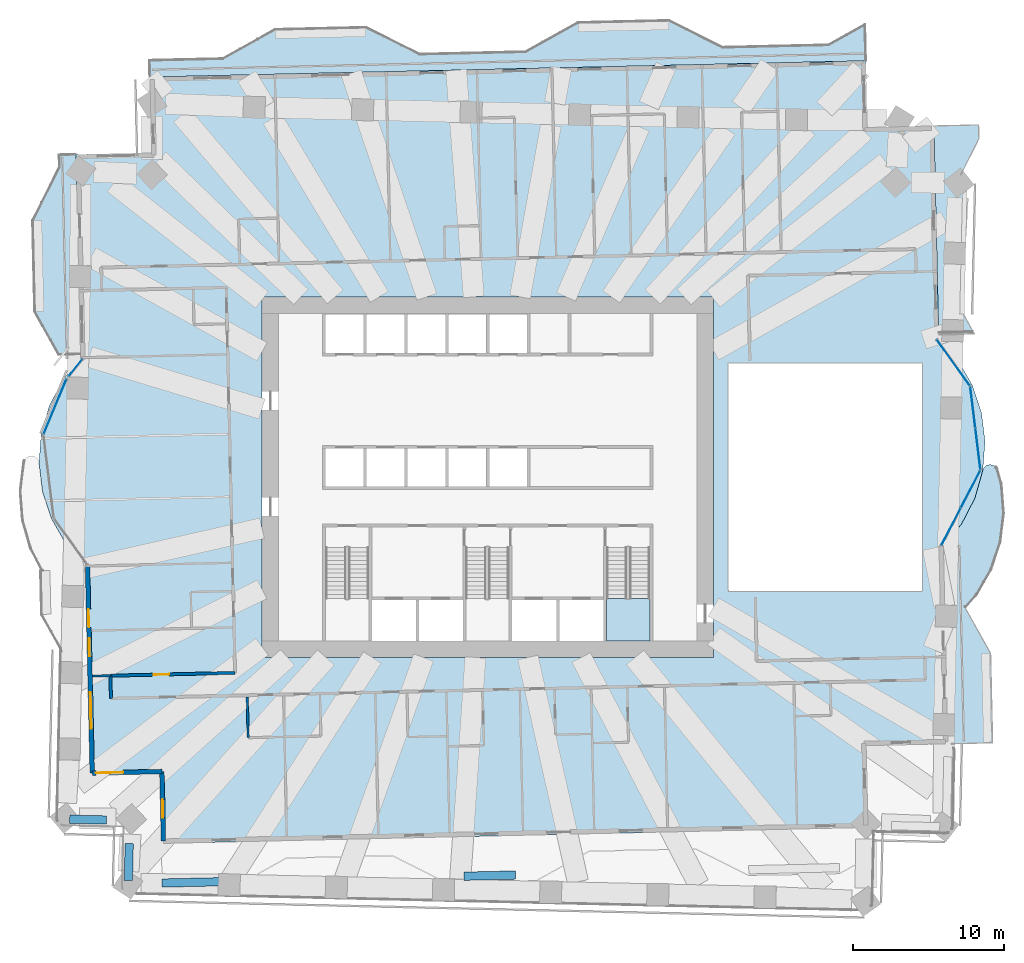
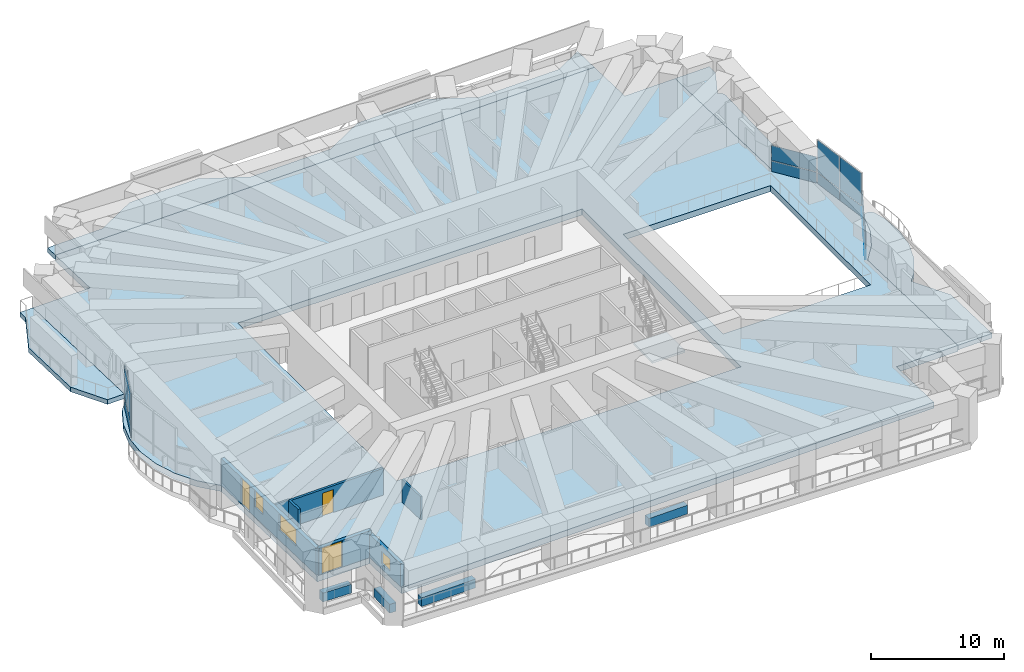
# One storey, part 9 of 20: 14 plates, 11 walls, 6 slabs, 3 doors, 3 windows, 6 openings, 6 elements without a shape of their own.
"""IFC4 building model written with IfcOpenShell, lengths in metres."""

from ifc_helpers import new_model, si_unit, direction, frame, frame_2d, origin, origin_2d, place, context, subcontext, project, spatial, polyline, rectangle, outline, extrude, material, layer, layer_set, type_object, element, fill, aggregate, save


model = new_model("IFC4")

# Units and contexts
model_context = context("Model", 3, precision=1e-05, world=origin(), true_north=direction((0.0, 1.0)))
body_context = subcontext(model_context, "Body", "Model", "MODEL_VIEW")
ifc_project = project(units=[si_unit("LENGTHUNIT", "METRE"), si_unit("AREAUNIT", "SQUARE_METRE"), si_unit("VOLUMEUNIT", "CUBIC_METRE"), si_unit("PLANEANGLEUNIT", "RADIAN"), si_unit("MASSUNIT", "GRAM", prefix="KILO")], contexts=[model_context])

# Site, building, storey
site_placement = place(None, origin())
site = spatial("IfcSite", under=ifc_project, at=site_placement, CompositionType="ELEMENT")
building_placement = place(site_placement, origin())
building = spatial("IfcBuilding", under=site, at=building_placement, Name="Mangrove Gate Tower", CompositionType="ELEMENT")
storey_placement = place(building_placement, frame((0.0, 0.0, 74.699951171875)))
storey = spatial("IfcBuildingStorey", under=building, at=storey_placement, Name="L18", CompositionType="ELEMENT", Elevation=74.699951171875)

# Slabs
ifc_material_1 = material(Name="Porcelain tile")
ifc_layer_1 = layer(ifc_material_1, 0.02001953125, Name="Tile finish")
ifc_material_2 = material(Name="Cement sand screed")
ifc_layer_2 = layer(ifc_material_2, 0.0400390625, Name="Screed laid to falls")
ifc_material_3 = material(Name="Bituminous waterproofing membrane")
ifc_layer_3 = layer(ifc_material_3, 0.00390625, Name="Waterproofing")
ifc_material_4 = material(Name="Concrete C40/50", Category="concrete")
ifc_layer_4 = layer(ifc_material_4, 0.340087890625, Name="Balcony structural slab")
ifc_material_5 = material(Name="Limestone", Category="masonry")
ifc_layer_5 = layer(ifc_material_5, 0.01611328125, Name="Soffit lining")
ifc_layer_set_1 = layer_set([ifc_layer_1, ifc_layer_2, ifc_layer_3, ifc_layer_4, ifc_layer_5], Name="Balcony slab 420 C40/50")
slab_type_1 = type_object("IfcSlabType", Name="Balcony slab 420 C40/50", PredefinedType="FLOOR", material=ifc_layer_set_1)
slab_1_placement = place(storey_placement, frame((0.0, 0.0, -0.419921875)))
element("IfcSlab", 1, at=slab_1_placement, inside=storey, type_object=slab_type_1, Name="BALCONY L18 E0", PredefinedType="FLOOR", context=body_context, shape_type="SweptSolid", body=[
    extrude(outline(polyline([(30.094970703125, -4.81494140625), (30.095947265625, -4.821044921875), (30.093994140625, -4.826904296875), (30.090087890625, -4.8310546875), (30.3798828125, -17.60205078125), (33.368896484375, -17.533935546875), (33.236083984375, -11.635986328125), (31.535888671875, -8.589111328125), (31.533935546875, -8.583984375), (31.535888671875, -8.577880859375), (31.5390625, -8.573974609375), (31.5439453125, -8.572998046875), (31.550048828125, -8.572998046875), (32.23388671875, -7.7958984375), (32.26611328125, -7.756103515625), (32.2919921875, -7.714111328125), (33.196044921875, -6.14306640625), (33.218017578125, -6.097900390625), (33.236083984375, -6.052001953125), (33.81005859375, -4.3330078125), (33.823974609375, -4.283935546875), (33.83203125, -4.235107421875), (34.053955078125, -2.43603515625), (34.056884765625, -2.386962890625), (34.055908203125, -2.3369140625), (33.916015625, -0.530029296875), (33.909912109375, -0.47998046875), (33.89892578125, -0.430908203125), (33.64501953125, 0.4619140625), (33.62890625, 0.508056640625), (33.60888671875, 0.552978515625), (33.5849609375, 0.594970703125), (33.556884765625, 0.635009765625), (33.52392578125, 0.672119140625), (33.489013671875, 0.705078125), (33.450927734375, 0.735107421875), (33.408935546875, 0.760986328125), (33.365966796875, 0.782958984375), (33.320068359375, 0.800048828125), (33.27294921875, 0.81298828125), (33.22509765625, 0.822021484375), (33.176025390625, 0.824951171875), (33.126953125, 0.823974609375), (33.0791015625, 0.818115234375), (33.031005859375, 0.806884765625), (32.985107421875, 0.7919921875), (32.93994140625, 0.77197265625), (32.89794921875, 0.748046875), (32.85791015625, 0.719970703125), (32.821044921875, 0.68896484375), (32.787109375, 0.653076171875), (32.757080078125, 0.614990234375), (32.72998046875, 0.573974609375), (32.7080078125, 0.530029296875), (32.68994140625, 0.48388671875), (32.162109375, -1.3759765625), (32.152099609375, -1.39990234375), (31.281005859375, -3.087890625), (30.198974609375, -4.43896484375), (30.169921875, -4.47900390625), (30.14404296875, -4.52197265625), (30.1240234375, -4.568115234375), (30.10791015625, -4.614990234375), (30.096923828125, -4.6630859375), (30.090087890625, -4.712890625), (30.089111328125, -4.762939453125), (30.090087890625, -4.81103515625), (30.094970703125, -4.81494140625)])), origin(), (0.0, 0.0, 1.0), 0.419921875),
])
slab_2_placement = place(storey_placement, frame((0.0, 0.0, -0.419921875)))
element("IfcSlab", 2, at=slab_2_placement, inside=storey, type_object=slab_type_1, Name="BALCONY L18 E1", PredefinedType="FLOOR", context=body_context, shape_type="SweptSolid", body=[
    extrude(outline(polyline([(29.76708984375, 9.416015625), (32.162109375, 9.470947265625), (31.44189453125, 10.762939453125), (31.44189453125, 10.76806640625), (31.446044921875, 10.77294921875), (31.450927734375, 10.77490234375), (31.4580078125, 10.77392578125), (31.653076171875, 19.3740234375), (31.65087890625, 19.422119140625), (31.64501953125, 19.470947265625), (31.635009765625, 19.51904296875), (31.618896484375, 19.56494140625), (31.59912109375, 19.611083984375), (31.574951171875, 19.653076171875), (31.5458984375, 19.693115234375), (31.513916015625, 19.73095703125), (31.47900390625, 19.763916015625), (31.43994140625, 19.7939453125), (31.39892578125, 19.820068359375), (31.35498046875, 19.842041015625), (31.30908203125, 19.860107421875), (31.260986328125, 19.873046875), (31.2470703125, 19.875), (31.238037109375, 19.875), (31.23193359375, 19.8798828125), (31.23095703125, 19.885986328125), (32.464111328125, 22.35595703125), (32.444091796875, 23.2548828125), (29.455078125, 23.18701171875), (29.76708984375, 9.416015625)])), origin(), (0.0, 0.0, 1.0), 0.419921875),
])
slab_3_placement = place(storey_placement, frame((0.0, 0.0, -0.419921875)))
element("IfcSlab", 3, at=slab_3_placement, inside=storey, type_object=slab_type_1, Name="BALCONY L18 N0", PredefinedType="FLOOR", context=body_context, shape_type="SweptSolid", body=[
    extrude(outline(polyline([(24.90087890625, 29.9140625), (22.4951171875, 28.571044921875), (15.49609375, 28.412109375), (11.955078125, 30.181884765625), (5.95703125, 30.0458984375), (2.5, 28.116943359375), (-4.498046875, 27.958984375), (-8.0400390625, 29.72900390625), (-14.0380859375, 29.592041015625), (-17.4951171875, 27.6630859375), (-22.330078125, 27.553955078125), (-22.303955078125, 26.4140625), (1.325927734375, 26.949951171875), (2.52587890625, 26.97802734375), (24.9560546875, 27.487060546875), (24.90087890625, 29.9140625)])), origin(), (0.0, 0.0, 1.0), 0.419921875),
])
slab_4_placement = place(storey_placement, frame((0.0, 0.0, -0.419921875)))
element("IfcSlab", 4, at=slab_4_placement, inside=storey, type_object=slab_type_1, Name="BALCONY L18 W0", PredefinedType="FLOOR", context=body_context, shape_type="SweptSolid", body=[
    extrude(outline(polyline([(-28.3291015625, 21.27587890625), (-28.31103515625, 20.47607421875), (-30.0810546875, 16.93505859375), (-29.945068359375, 10.93701171875), (-28.361083984375, 8.096923828125), (-26.889892578125, 8.131103515625), (-26.9560546875, 11.0048828125), (-27.092041015625, 17.0029296875), (-27.1708984375, 20.501953125), (-27.18896484375, 21.302001953125), (-28.3291015625, 21.27587890625)])), origin(), (0.0, 0.0, 1.0), 0.419921875),
])

# Stair, slab
ifc_material_6 = material(Name="Concrete C40/50", Category="concrete")
stair_type = type_object("IfcStairType", Name="Core stair 1350", PredefinedType="HALF_TURN_STAIR", material=ifc_material_6)
stair_placement = place(storey_placement, origin())
stair = element("IfcStair", 5, at=stair_placement, inside=storey, type_object=stair_type, Name="L18 Stair 3", PredefinedType="HALF_TURN_STAIR")
ifc_material_7 = material(Name="Concrete C40/50", Category="concrete")
ifc_layer_6 = layer(ifc_material_7, 0.199951171875)
ifc_layer_set_2 = layer_set([ifc_layer_6], Name="Core stair landing 200")
slab_type_2 = type_object("IfcSlabType", Name="Core stair landing 200", PredefinedType="LANDING", material=ifc_layer_set_2)
slab_5_placement = place(storey_placement, frame((0.0, 0.0, 2.10009765625)))
slab_5 = element("IfcSlab", 6, at=slab_5_placement, type_object=slab_type_2, Name="ST3 landing 1", PredefinedType="LANDING", context=body_context, shape_type="SweptSolid", body=[
    extrude(outline(polyline([(7.85009765625, -8.010009765625), (7.85009765625, -10.800048828125), (10.699951171875, -10.800048828125), (10.699951171875, -8.010009765625), (7.85009765625, -8.010009765625)])), origin(), (0.0, 0.0, 1.0), 0.199951171875),
])
aggregate(stair, [slab_5])

# Slab
ifc_material_8 = material(Name="Concrete C40/50", Category="concrete")
ifc_layer_7 = layer(ifc_material_8, 0.550048828125)
ifc_layer_set_3 = layer_set([ifc_layer_7], Name="Floor slab 550 C40/50")
slab_type_3 = type_object("IfcSlabType", Name="Floor slab 550 C40/50", PredefinedType="FLOOR", material=ifc_layer_set_3)
slab_6_placement = place(storey_placement, frame((0.0, 0.0, -0.550048828125)))
element("IfcSlab", 7, at=slab_6_placement, inside=storey, type_object=slab_type_3, Name="Floor slab L18", PredefinedType="FLOOR", context=body_context, shape_type="SweptSolid", body=[
    extrude(outline(polyline([(-21.555908203125, -24.181884765625), (25.10400390625, -23.123046875), (24.981689453125, -17.724609375), (30.380126953125, -17.60205078125), (30.084716796875, -4.58056640625), (31.28125, -3.08837890625), (32.158203125, -1.388427734375), (32.6806640625, 0.45166015625), (32.827880859375, 2.358642578125), (32.59423828125, 4.257080078125), (31.98876953125, 6.071533203125), (31.03564453125, 7.72998046875), (29.772705078125, 9.16650390625), (29.45458984375, 23.1875), (25.0556640625, 23.087646484375), (24.955810546875, 27.486572265625), (-22.303955078125, 26.4140625), (-22.1904296875, 21.415283203125), (-27.189208984375, 21.302001953125), (-26.884765625, 7.880615234375), (-28.081298828125, 6.388427734375), (-28.958251953125, 4.6884765625), (-29.480712890625, 2.848388671875), (-29.6279296875, 0.94140625), (-29.394287109375, -0.95703125), (-28.788818359375, -2.771484375), (-27.835693359375, -4.429931640625), (-26.57275390625, -5.866455078125), (-26.259033203125, -19.6875), (-21.66015625, -19.583251953125), (-21.555908203125, -24.181884765625)]), holes=[polyline([(15.89990234375, 7.5), (28.658935546875, 7.5), (28.658935546875, -7.5), (15.89990234375, -7.5), (15.89990234375, 7.5)]), polyline([(-14.89990234375, -11.89990234375), (-14.89990234375, 11.89990234375), (14.89990234375, 11.89990234375), (14.89990234375, -11.89990234375), (-14.89990234375, -11.89990234375)])]), origin(), (0.0, 0.0, 1.0), 0.550048828125),
])

# Curtain wall, plates
ifc_material_9 = material(Name="Aluminium and glass curtain wall", Category="aluminium")
curtain_wall_type = type_object("IfcCurtainWallType", Name="Sky-lounge glazing wall", PredefinedType="NOTDEFINED", material=ifc_material_9)
curtain_wall_1_placement = place(storey_placement, origin())
curtain_wall_1 = element("IfcCurtainWall", 8, at=curtain_wall_1_placement, inside=storey, type_object=curtain_wall_type, Name="Sky-lounge glazing E1f1", PredefinedType="NOTDEFINED")
ifc_material_10 = material(Name="Laminated low-e glass", Category="glass")
ifc_layer_8 = layer(ifc_material_10, 0.030029296875)
ifc_layer_set_4 = layer_set([ifc_layer_8], Name="Sky-lounge glazing panel 30")
plate_type = type_object("IfcPlateType", Name="Sky-lounge glazing panel 30", PredefinedType="CURTAIN_PANEL", material=ifc_layer_set_4)
plate_1_placement = place(storey_placement, frame((30.590087890625, -3.26416015625, 0.0), z_axis=(0.0, 0.0, 1.0), x_axis=(0.460628472605, 0.887593043137, 0.0)))
plate_1 = element("IfcPlate", 9, at=plate_1_placement, type_object=plate_type, Name="CWK panel 1.1", PredefinedType="CURTAIN_PANEL", context=body_context, shape_type="SweptSolid", body=[
    extrude(rectangle(XDim=2.73095703125, YDim=0.030029296875, at=origin_2d()), origin(), (0.0, 0.0, 1.0), 0.969970703125),
])
plate_2_placement = place(storey_placement, frame((30.590087890625, -3.26416015625, 1.02978515625), z_axis=(0.0, 0.0, 1.0), x_axis=(0.460628472605, 0.887593043137, 0.0)))
plate_2 = element("IfcPlate", 10, at=plate_2_placement, type_object=plate_type, Name="CWK panel 1.2", PredefinedType="CURTAIN_PANEL", context=body_context, shape_type="SweptSolid", body=[
    extrude(rectangle(XDim=2.73095703125, YDim=0.030029296875, at=origin_2d()), origin(), (0.0, 0.0, 1.0), 1.360107421875),
])
plate_3_placement = place(storey_placement, frame((31.875732421875, -0.787109375, 0.0), z_axis=(0.0, 0.0, 1.0), x_axis=(0.460628472605, 0.887593043137, 0.0)))
plate_3 = element("IfcPlate", 11, at=plate_3_placement, type_object=plate_type, Name="CWK panel 2.1", PredefinedType="CURTAIN_PANEL", context=body_context, shape_type="SweptSolid", body=[
    extrude(rectangle(XDim=2.73095703125, YDim=0.030029296875, at=origin_2d()), origin(), (0.0, 0.0, 1.0), 0.969970703125),
])
plate_4_placement = place(storey_placement, frame((31.875732421875, -0.787109375, 1.02978515625), z_axis=(0.0, 0.0, 1.0), x_axis=(0.460628472605, 0.887593043137, 0.0)))
plate_4 = element("IfcPlate", 12, at=plate_4_placement, type_object=plate_type, Name="CWK panel 2.2", PredefinedType="CURTAIN_PANEL", context=body_context, shape_type="SweptSolid", body=[
    extrude(rectangle(XDim=2.73095703125, YDim=0.030029296875, at=origin_2d()), origin(), (0.0, 0.0, 1.0), 1.360107421875),
])
aggregate(curtain_wall_1, [plate_1, plate_2, plate_3, plate_4])

curtain_wall_2_placement = place(storey_placement, origin())
curtain_wall_2 = element("IfcCurtainWall", 13, at=curtain_wall_2_placement, inside=storey, type_object=curtain_wall_type, Name="Sky-lounge glazing E1f2", PredefinedType="NOTDEFINED")
plate_5_placement = place(storey_placement, frame((32.360107421875, 1.8759765625, 0.0), z_axis=(0.0, 0.0, 1.0), x_axis=(-0.122172286076, 0.992508908028, 0.0)))
plate_5 = element("IfcPlate", 14, at=plate_5_placement, type_object=plate_type, Name="CWK panel 1.1", PredefinedType="CURTAIN_PANEL", context=body_context, shape_type="SweptSolid", body=[
    extrude(rectangle(XDim=2.69677734375, YDim=0.030029296875, at=origin_2d()), origin(), (0.0, 0.0, 1.0), 0.969970703125),
])
plate_6_placement = place(storey_placement, frame((32.360107421875, 1.8759765625, 1.030029296875), z_axis=(0.0, 0.0, 1.0), x_axis=(-0.122172286076, 0.992508908028, 0.0)))
plate_6 = element("IfcPlate", 15, at=plate_6_placement, type_object=plate_type, Name="CWK panel 1.2", PredefinedType="CURTAIN_PANEL", context=body_context, shape_type="SweptSolid", body=[
    extrude(rectangle(XDim=2.69677734375, YDim=0.030029296875, at=origin_2d()), origin(), (0.0, 0.0, 1.0), 2.9599609375),
])
plate_7_placement = place(storey_placement, frame((32.0234375, 4.612060546875, 0.0), z_axis=(0.0, 0.0, 1.0), x_axis=(-0.122172286076, 0.992508908028, 0.0)))
plate_7 = element("IfcPlate", 16, at=plate_7_placement, type_object=plate_type, Name="CWK panel 2.1", PredefinedType="CURTAIN_PANEL", context=body_context, shape_type="SweptSolid", body=[
    extrude(rectangle(XDim=2.69677734375, YDim=0.030029296875, at=origin_2d()), origin(), (0.0, 0.0, 1.0), 0.969970703125),
])
plate_8_placement = place(storey_placement, frame((32.0234375, 4.612060546875, 1.030029296875), z_axis=(0.0, 0.0, 1.0), x_axis=(-0.122172286076, 0.992508908028, 0.0)))
plate_8 = element("IfcPlate", 17, at=plate_8_placement, type_object=plate_type, Name="CWK panel 2.2", PredefinedType="CURTAIN_PANEL", context=body_context, shape_type="SweptSolid", body=[
    extrude(rectangle(XDim=2.69677734375, YDim=0.030029296875, at=origin_2d()), origin(), (0.0, 0.0, 1.0), 2.9599609375),
])
aggregate(curtain_wall_2, [plate_5, plate_6, plate_7, plate_8])

curtain_wall_3_placement = place(storey_placement, origin())
curtain_wall_3 = element("IfcCurtainWall", 18, at=curtain_wall_3_placement, inside=storey, type_object=curtain_wall_type, Name="Sky-lounge glazing E1f3", PredefinedType="NOTDEFINED")
plate_9_placement = place(storey_placement, frame((30.737548828125, 7.55908203125, 0.0), z_axis=(0.0, 0.0, 1.0), x_axis=(-0.583670260892, 0.811990779843, 0.0)))
plate_9 = element("IfcPlate", 19, at=plate_9_placement, type_object=plate_type, Name="CWK panel 1.1", PredefinedType="CURTAIN_PANEL", context=body_context, shape_type="SweptSolid", body=[
    extrude(rectangle(XDim=3.696044921875, YDim=0.030029296875, at=origin_2d()), origin(), (0.0, 0.0, 1.0), 0.969970703125),
])
plate_10_placement = place(storey_placement, frame((30.737548828125, 7.55908203125, 1.02978515625), z_axis=(0.0, 0.0, 1.0), x_axis=(-0.583670260892, 0.811990779843, 0.0)))
plate_10 = element("IfcPlate", 20, at=plate_10_placement, type_object=plate_type, Name="CWK panel 1.2", PredefinedType="CURTAIN_PANEL", context=body_context, shape_type="SweptSolid", body=[
    extrude(rectangle(XDim=3.696044921875, YDim=0.030029296875, at=origin_2d()), origin(), (0.0, 0.0, 1.0), 1.360107421875),
])
aggregate(curtain_wall_3, [plate_9, plate_10])

curtain_wall_4_placement = place(storey_placement, origin())
curtain_wall_4 = element("IfcCurtainWall", 21, at=curtain_wall_4_placement, inside=storey, type_object=curtain_wall_type, Name="Sky-lounge glazing W9p1f1", PredefinedType="NOTDEFINED")
plate_11_placement = place(storey_placement, frame((-27.215576171875, 7.22802734375, 0.0), z_axis=(0.0, 0.0, 1.0), x_axis=(-0.625547939223, -0.780185731562, 0.0)))
plate_11 = element("IfcPlate", 22, at=plate_11_placement, type_object=plate_type, Name="CWK panel 1.1", PredefinedType="CURTAIN_PANEL", context=body_context, shape_type="SweptSolid", body=[
    extrude(rectangle(XDim=1.421630859375, YDim=0.030029296875, at=origin_2d()), origin(), (0.0, 0.0, 1.0), 0.969970703125),
])
plate_12_placement = place(storey_placement, frame((-27.215576171875, 7.22802734375, 1.02978515625), z_axis=(0.0, 0.0, 1.0), x_axis=(-0.625547939223, -0.780185731562, 0.0)))
plate_12 = element("IfcPlate", 23, at=plate_12_placement, type_object=plate_type, Name="CWK panel 1.2", PredefinedType="CURTAIN_PANEL", context=body_context, shape_type="SweptSolid", body=[
    extrude(rectangle(XDim=1.421630859375, YDim=0.030029296875, at=origin_2d()), origin(), (0.0, 0.0, 1.0), 1.360107421875),
])
aggregate(curtain_wall_4, [plate_11, plate_12])

curtain_wall_5_placement = place(storey_placement, origin())
curtain_wall_5 = element("IfcCurtainWall", 24, at=curtain_wall_5_placement, inside=storey, type_object=curtain_wall_type, Name="Sky-lounge glazing W9p2f1", PredefinedType="NOTDEFINED")
plate_13_placement = place(storey_placement, frame((-28.566162109375, 4.660400390625, 0.0), z_axis=(0.0, 0.0, 1.0), x_axis=(-0.384582843453, -0.923090481221, 0.0)))
plate_13 = element("IfcPlate", 25, at=plate_13_placement, type_object=plate_type, Name="CWK panel 1.1", PredefinedType="CURTAIN_PANEL", context=body_context, shape_type="SweptSolid", body=[
    extrude(rectangle(XDim=3.863525390625, YDim=0.030029296875, at=origin_2d()), origin(), (0.0, 0.0, 1.0), 0.969970703125),
])
plate_14_placement = place(storey_placement, frame((-28.566162109375, 4.660400390625, 1.030029296875), z_axis=(0.0, 0.0, 1.0), x_axis=(-0.384582843453, -0.923090481221, 0.0)))
plate_14 = element("IfcPlate", 26, at=plate_14_placement, type_object=plate_type, Name="CWK panel 1.2", PredefinedType="CURTAIN_PANEL", context=body_context, shape_type="SweptSolid", body=[
    extrude(rectangle(XDim=3.863525390625, YDim=0.030029296875, at=origin_2d()), origin(), (0.0, 0.0, 1.0), 2.9599609375),
])
aggregate(curtain_wall_5, [plate_13, plate_14])

# Wall
ifc_material_11 = material(Name="Gypsum board on steel stud, EI 60", Category="steel")
ifc_layer_9 = layer(ifc_material_11, 0.199951171875)
ifc_layer_set_5 = layer_set([ifc_layer_9], Name="Corridor wall EI 60")
wall_type_1 = type_object("IfcWallType", Name="Corridor wall EI 60", PredefinedType="PARTITIONING", material=ifc_layer_set_5)
wall_1_placement = place(storey_placement, frame((-24.8779296875, -14.60498046875, 0.0), z_axis=(0.0, 0.0, 1.0), x_axis=(-0.022780545013, 0.999740489712, 0.0)))
element("IfcWall", 27, at=wall_1_placement, inside=storey, type_object=wall_type_1, Name="WALL-L18-022", PredefinedType="PARTITIONING", context=body_context, shape_type="SweptSolid", body=[
    extrude(rectangle(XDim=1.50048828125, YDim=0.199951171875, at=frame_2d((0.750244140625, 0.0))), origin(), (0.0, 0.0, 1.0), 2.550048828125),
])

# Wall, opening, door
wall_2_placement = place(storey_placement, frame((-24.9140625, -13.10498046875, 0.0), z_axis=(0.0, 0.0, 1.0), x_axis=(0.999742248516, 0.022703227368, 0.0)))
wall_2 = element("IfcWall", 28, at=wall_2_placement, inside=storey, type_object=wall_type_1, Name="WALL-L18-025", PredefinedType="PARTITIONING", context=body_context, shape_type="SweptSolid", body=[
    extrude(rectangle(XDim=8.2373046875, YDim=0.199951171875, at=frame_2d((4.11865234375, 0.0))), origin(), (0.0, 0.0, 1.0), 2.449951171875),
])
opening_1_placement = place(wall_2_placement, frame((2.8720703125, 0.0, 0.0)))
opening_1 = element("IfcOpeningElement", 29, at=opening_1_placement, cuts=wall_2, Name="Opening AD", PredefinedType="OPENING", context=body_context, shape_type="SweptSolid", body=[
    extrude(rectangle(XDim=1.0, YDim=2.10009765625, at=frame_2d((0.5, 1.050048828125))), frame((0.0, 0.10986328125, 0.0), z_axis=(0.0, -1.0, 0.0), x_axis=(1.0, 0.0, 0.0)), (0.0, 0.0, 1.0), 0.219970703125),
])
ifc_material_12 = material(Name="Timber door leaf", Category="wood")
door_type_1 = type_object("IfcDoorType", Name="Amenity door 1000", OperationType="SINGLE_SWING_LEFT", PredefinedType="DOOR", material=ifc_material_12)
door_1_placement = place(opening_1_placement, origin())
door_1 = element("IfcDoor", 30, at=door_1_placement, inside=storey, type_object=door_type_1, Name="DOOR-L18-STU-c5b", OperationType="SINGLE_SWING_LEFT", OverallHeight=2.10009765625, OverallWidth=1.0, PredefinedType="DOOR", context=body_context, shape_type="SweptSolid", body=[
    extrude(rectangle(XDim=1.0, YDim=2.10009765625, at=frame_2d((0.5, 1.050048828125))), frame((0.0, 0.02490234375, 0.0), z_axis=(0.0, -1.0, 0.0), x_axis=(1.0, 0.0, 0.0)), (0.0, 0.0, 1.0), 0.050048828125),
])
fill(opening_1, door_1)

# Wall, openings, door, windows
ifc_layer_10 = layer(ifc_material_5, 0.0400390625, Name="Limestone cladding")
ifc_material_13 = material(Name="Ventilated air gap")
ifc_layer_11 = layer(ifc_material_13, 0.0400390625, Name="Ventilated cavity")
ifc_material_14 = material(Name="Mineral wool insulation")
ifc_layer_12 = layer(ifc_material_14, 0.06005859375, Name="Insulation")
ifc_material_15 = material(Name="Breather membrane")
ifc_layer_13 = layer(ifc_material_15, 0.001953125, Name="Breather membrane")
ifc_material_16 = material(Name="Concrete C20/25 blockwork", Category="masonry")
ifc_layer_14 = layer(ifc_material_16, 0.14990234375, Name="Blockwork backing wall")
ifc_material_17 = material(Name="Gypsum plaster")
ifc_layer_15 = layer(ifc_material_17, 0.008056640625, Name="Internal plaster")
ifc_layer_set_6 = layer_set([ifc_layer_10, ifc_layer_11, ifc_layer_12, ifc_layer_13, ifc_layer_14, ifc_layer_15], Name="External wall 300 limestone cladding")
wall_type_2 = type_object("IfcWallType", Name="External wall 300 limestone cladding", PredefinedType="SOLIDWALL", material=ifc_layer_set_6)
wall_3_placement = place(storey_placement, frame((-26.424072265625, -5.80810546875, 0.0), z_axis=(0.0, 0.0, 1.0), x_axis=(0.022654755793, -0.999743348085, 0.0)))
wall_3 = element("IfcWall", 31, at=wall_3_placement, inside=storey, type_object=wall_type_2, Name="WALL-L18-W10", PredefinedType="SOLIDWALL", context=body_context, shape_type="SweptSolid", body=[
    extrude(rectangle(XDim=13.729248046875, YDim=0.300048828125, at=frame_2d((6.86474609375, 0.0))), origin(), (0.0, 0.0, 1.0), 2.449951171875),
])
opening_2_placement = place(wall_3_placement, frame((2.9130859375, 0.0, 0.0)))
opening_2 = element("IfcOpeningElement", 32, at=opening_2_placement, cuts=wall_3, Name="Opening BD2", PredefinedType="OPENING", context=body_context, shape_type="SweptSolid", body=[
    extrude(rectangle(XDim=1.199951171875, YDim=2.39990234375, at=frame_2d((0.60009765625, 1.199951171875))), frame((0.0, 0.159912109375, 0.0), z_axis=(0.0, -1.0, 0.0), x_axis=(1.0, 0.0, 0.0)), (0.0, 0.0, 1.0), 0.320068359375),
])
opening_3_placement = place(wall_3_placement, frame((4.822998046875, 0.0, 0.89990234375)))
opening_3 = element("IfcOpeningElement", 33, at=opening_3_placement, cuts=wall_3, Name="Opening W1", PredefinedType="OPENING", context=body_context, shape_type="SweptSolid", body=[
    extrude(rectangle(XDim=1.199951171875, YDim=1.5, at=frame_2d((0.60009765625, 0.75))), frame((0.0, 0.159912109375, 0.0), z_axis=(0.0, -1.0, 0.0), x_axis=(1.0, 0.0, 0.0)), (0.0, 0.0, 1.0), 0.320068359375),
])
opening_4_placement = place(wall_3_placement, frame((8.39306640625, 0.0, 0.89990234375)))
opening_4 = element("IfcOpeningElement", 34, at=opening_4_placement, cuts=wall_3, Name="Opening W2", PredefinedType="OPENING", context=body_context, shape_type="SweptSolid", body=[
    extrude(rectangle(XDim=2.39990234375, YDim=1.5, at=frame_2d((1.199951171875, 0.75))), frame((0.0, 0.159912109375, 0.0), z_axis=(0.0, -1.0, 0.0), x_axis=(1.0, 0.0, 0.0)), (0.0, 0.0, 1.0), 0.320068359375),
])
ifc_material_18 = material(Name="Aluminium frame with laminated clear glass", Category="aluminium")
door_type_2 = type_object("IfcDoorType", Name="Balcony sliding door 1200x2400", OperationType="SLIDING_TO_LEFT", PredefinedType="DOOR", material=ifc_material_18)
door_2_placement = place(opening_2_placement, origin())
door_2 = element("IfcDoor", 35, at=door_2_placement, inside=storey, type_object=door_type_2, Name="DOOR-L18-W10-1", OperationType="SLIDING_TO_LEFT", OverallHeight=2.39990234375, OverallWidth=1.199951171875, PredefinedType="DOOR", context=body_context, shape_type="SweptSolid", body=[
    extrude(rectangle(XDim=1.199951171875, YDim=2.39990234375, at=frame_2d((0.60009765625, 1.199951171875))), frame((0.0, 0.02490234375, 0.0), z_axis=(0.0, -1.0, 0.0), x_axis=(1.0, 0.0, 0.0)), (0.0, 0.0, 1.0), 0.050048828125),
])
fill(opening_2, door_2)
ifc_material_19 = material(Name="Aluminium frame with double-glazed low-e glass", Category="aluminium")
window_type_1 = type_object("IfcWindowType", Name="Corner room window 2400x1500", PartitioningType="DOUBLE_PANEL_VERTICAL", PredefinedType="WINDOW", material=ifc_material_19)
window_1_placement = place(opening_4_placement, origin())
window_1 = element("IfcWindow", 36, at=window_1_placement, inside=storey, type_object=window_type_1, Name="WIN-L18-W10-3", OverallHeight=1.5, OverallWidth=2.39990234375, PartitioningType="DOUBLE_PANEL_VERTICAL", PredefinedType="WINDOW", context=body_context, shape_type="SweptSolid", body=[
    extrude(rectangle(XDim=2.39990234375, YDim=1.5, at=frame_2d((1.199951171875, 0.75))), frame((0.0, 0.030029296875, 0.0), z_axis=(0.0, -1.0, 0.0), x_axis=(1.0, 0.0, 0.0)), (0.0, 0.0, 1.0), 0.06005859375),
])
fill(opening_4, window_1)
ifc_material_20 = material(Name="Aluminium frame with double-glazed low-e glass", Category="aluminium")
window_type_2 = type_object("IfcWindowType", Name="Side lite 1200x1500", PartitioningType="SINGLE_PANEL", PredefinedType="WINDOW", material=ifc_material_20)
window_2_placement = place(opening_3_placement, origin())
window_2 = element("IfcWindow", 37, at=window_2_placement, inside=storey, type_object=window_type_2, Name="WIN-L18-W10-2", OverallHeight=1.5, OverallWidth=1.199951171875, PartitioningType="SINGLE_PANEL", PredefinedType="WINDOW", context=body_context, shape_type="SweptSolid", body=[
    extrude(rectangle(XDim=1.199951171875, YDim=1.5, at=frame_2d((0.60009765625, 0.75))), frame((0.0, 0.030029296875, 0.0), z_axis=(0.0, -1.0, 0.0), x_axis=(1.0, 0.0, 0.0)), (0.0, 0.0, 1.0), 0.06005859375),
])
fill(opening_3, window_2)

# Wall, opening, door
wall_4_placement = place(storey_placement, frame((-26.113037109375, -19.533935546875, 0.0), z_axis=(0.0, 0.0, 1.0), x_axis=(0.999744404568, 0.02260808559, 0.0)))
wall_4 = element("IfcWall", 38, at=wall_4_placement, inside=storey, type_object=wall_type_2, Name="WALL-L18-S11", PredefinedType="SOLIDWALL", context=body_context, shape_type="SweptSolid", body=[
    extrude(rectangle(XDim=4.600341796875, YDim=0.300048828125, at=frame_2d((2.30029296875, 0.0))), origin(), (0.0, 0.0, 1.0), 2.449951171875),
])
opening_5_placement = place(wall_4_placement, frame((0.25, 0.0, 0.0)))
opening_5 = element("IfcOpeningElement", 39, at=opening_5_placement, cuts=wall_4, Name="Opening TD1", PredefinedType="OPENING", context=body_context, shape_type="SweptSolid", body=[
    extrude(rectangle(XDim=1.800048828125, YDim=2.39990234375, at=frame_2d((0.89990234375, 1.199951171875))), frame((0.0, 0.159912109375, 0.0), z_axis=(0.0, -1.0, 0.0), x_axis=(1.0, 0.0, 0.0)), (0.0, 0.0, 1.0), 0.320068359375),
])
ifc_material_21 = material(Name="Aluminium frame with laminated clear glass", Category="aluminium")
door_type_3 = type_object("IfcDoorType", Name="Terrace door 1800x2400", OperationType="DOUBLE_DOOR_SINGLE_SWING", PredefinedType="DOOR", material=ifc_material_21)
door_3_placement = place(opening_5_placement, origin())
door_3 = element("IfcDoor", 40, at=door_3_placement, inside=storey, type_object=door_type_3, Name="DOOR-L18-S11-1", OperationType="DOUBLE_DOOR_SINGLE_SWING", OverallHeight=2.39990234375, OverallWidth=1.800048828125, PredefinedType="DOOR", context=body_context, shape_type="SweptSolid", body=[
    extrude(rectangle(XDim=1.800048828125, YDim=2.39990234375, at=frame_2d((0.89990234375, 1.199951171875))), frame((0.0, 0.02490234375, 0.0), z_axis=(0.0, -1.0, 0.0), x_axis=(1.0, 0.0, 0.0)), (0.0, 0.0, 1.0), 0.050048828125),
])
fill(opening_5, door_3)

# Wall, opening, window
wall_5_placement = place(storey_placement, frame((-21.513916015625, -19.429931640625, 0.0), z_axis=(0.0, 0.0, 1.0), x_axis=(0.022820258049, -0.999739584003, 0.0)))
wall_5 = element("IfcWall", 41, at=wall_5_placement, inside=storey, type_object=wall_type_2, Name="WALL-L18-W12", PredefinedType="SOLIDWALL", context=body_context, shape_type="SweptSolid", body=[
    extrude(rectangle(XDim=4.600341796875, YDim=0.300048828125, at=frame_2d((2.30029296875, 0.0))), origin(), (0.0, 0.0, 1.0), 2.10009765625),
])
opening_6_placement = place(wall_5_placement, frame((1.85009765625, 0.0, 0.5)))
opening_6 = element("IfcOpeningElement", 42, at=opening_6_placement, cuts=wall_5, Name="Opening W6", PredefinedType="OPENING", context=body_context, shape_type="SweptSolid", body=[
    extrude(rectangle(XDim=1.199951171875, YDim=1.10009765625, at=frame_2d((0.60009765625, 0.550048828125))), frame((0.0, 0.159912109375, 0.0), z_axis=(0.0, -1.0, 0.0), x_axis=(1.0, 0.0, 0.0)), (0.0, 0.0, 1.0), 0.320068359375),
])
ifc_material_22 = material(Name="Aluminium frame with double-glazed low-e glass", Category="aluminium")
window_type_3 = type_object("IfcWindowType", Name="Low window 1200x1100", PartitioningType="SINGLE_PANEL", PredefinedType="WINDOW", material=ifc_material_22)
window_3_placement = place(opening_6_placement, origin())
window_3 = element("IfcWindow", 43, at=window_3_placement, inside=storey, type_object=window_type_3, Name="WIN-L18-W12-1", OverallHeight=1.10009765625, OverallWidth=1.199951171875, PartitioningType="SINGLE_PANEL", PredefinedType="WINDOW", context=body_context, shape_type="SweptSolid", body=[
    extrude(rectangle(XDim=1.199951171875, YDim=1.10009765625, at=frame_2d((0.60009765625, 0.550048828125))), frame((0.0, 0.030029296875, 0.0), z_axis=(0.0, -1.0, 0.0), x_axis=(1.0, 0.0, 0.0)), (0.0, 0.0, 1.0), 0.06005859375),
])
fill(opening_6, window_3)

# Walls
ifc_material_23 = material(Name="Gypsum board on steel stud, EI 60", Category="steel")
ifc_layer_16 = layer(ifc_material_23, 0.14990234375)
ifc_layer_set_7 = layer_set([ifc_layer_16], Name="Party wall 150 EI 60")
wall_type_3 = type_object("IfcWallType", Name="Party wall 150 EI 60", PredefinedType="PARTITIONING", material=ifc_layer_set_7)
wall_6_placement = place(storey_placement, frame((-15.81689453125, -17.199951171875, 0.0), z_axis=(0.0, 0.0, 1.0), x_axis=(-0.02260842146, 0.999744396973, 0.0)))
element("IfcWall", 44, at=wall_6_placement, inside=storey, type_object=wall_type_3, Name="WALL-L18-016", PredefinedType="PARTITIONING", context=body_context, shape_type="SweptSolid", body=[
    extrude(rectangle(XDim=2.69970703125, YDim=0.14990234375, at=frame_2d((1.349853515625, 0.0))), origin(), (0.0, 0.0, 1.0), 2.10009765625),
])
wall_7_placement = place(storey_placement, frame((-26.10791015625, -13.132080078125, 0.0), z_axis=(0.0, 0.0, 1.0), x_axis=(0.999744249074, 0.022614960597, 0.0)))
element("IfcWall", 45, at=wall_7_placement, inside=storey, type_object=wall_type_3, Name="WALL-L18-024", PredefinedType="PARTITIONING", context=body_context, shape_type="SweptSolid", body=[
    extrude(rectangle(XDim=1.1982421875, YDim=0.14990234375, at=frame_2d((0.59912109375, 0.0))), origin(), (0.0, 0.0, 1.0), 2.550048828125),
])
ifc_material_24 = material(Name="Concrete C32/40", Category="concrete")
ifc_layer_17 = layer(ifc_material_24, 0.199951171875, Name="Planter trough wall")
ifc_layer_18 = layer(ifc_material_3, 0.0048828125, Name="Waterproofing")
ifc_material_25 = material(Name="Drainage board and gravel")
ifc_layer_19 = layer(ifc_material_25, 0.044921875, Name="Drainage layer")
ifc_material_26 = material(Name="Planting soil")
ifc_layer_20 = layer(ifc_material_26, 0.300048828125, Name="Growing medium")
ifc_layer_set_8 = layer_set([ifc_layer_17, ifc_layer_18, ifc_layer_19, ifc_layer_20], Name="Planter wall 550 C32/40")
wall_type_4 = type_object("IfcWallType", Name="Planter wall 550 C32/40", PredefinedType="USERDEFINED", material=ifc_layer_set_8)
wall_8_placement = place(storey_placement, frame((-21.49609375, -26.7958984375, 0.0), z_axis=(0.0, 0.0, 1.0), x_axis=(0.999744993256, 0.022582038422, 0.0)))
element("IfcWall", 46, at=wall_8_placement, inside=storey, type_object=wall_type_4, Name="PLANTER L18 S0.1", ObjectType="PLANTER", PredefinedType="USERDEFINED", context=body_context, shape_type="SweptSolid", body=[
    extrude(rectangle(XDim=4.7353515625, YDim=0.550048828125, at=frame_2d((2.36767578125, 0.0))), origin(), (0.0, 0.0, 1.0), 0.800048828125),
])
wall_9_placement = place(storey_placement, frame((-1.56494140625, -26.343994140625, 0.0), z_axis=(0.0, 0.0, 1.0), x_axis=(0.999744128955, 0.022620270121, 0.0)))
element("IfcWall", 47, at=wall_9_placement, inside=storey, type_object=wall_type_4, Name="PLANTER L18 S0.2", ObjectType="PLANTER", PredefinedType="USERDEFINED", context=body_context, shape_type="SweptSolid", body=[
    extrude(rectangle(XDim=3.39990234375, YDim=0.550048828125, at=frame_2d((1.699951171875, 0.0))), origin(), (0.0, 0.0, 1.0), 0.800048828125),
])
for number, where, z_axis, x_axis, name in (
    (48, (-23.72607421875, -26.632080078125, 0.0), (0.0, 0.0, 1.0), (0.022634952719, 0.999743796638, 0.0), "PLANTER L18 T4.5.6"),
    (49, (-25.1630859375, -22.633056640625, 0.0), (0.0, 0.0, 1.0), (-0.999743796638, 0.022634952719, 0.0), "PLANTER L18 T4.5.9"),
):
    element("IfcWall", number, at=place(storey_placement, frame(where, z_axis=z_axis, x_axis=x_axis)), inside=storey, type_object=wall_type_4, Name=name, ObjectType="PLANTER", PredefinedType="USERDEFINED", context=body_context, shape_type="SweptSolid", body=[
        extrude(rectangle(XDim=2.437744140625, YDim=0.550048828125, at=frame_2d((1.21875, 0.0))), origin(), (0.0, 0.0, 1.0), 0.800048828125),
    ])

save(model, "model.ifc")
